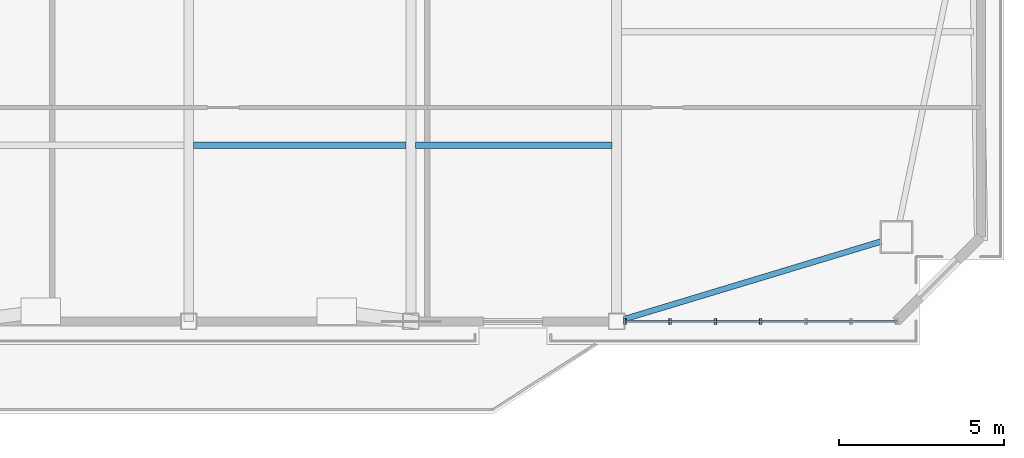
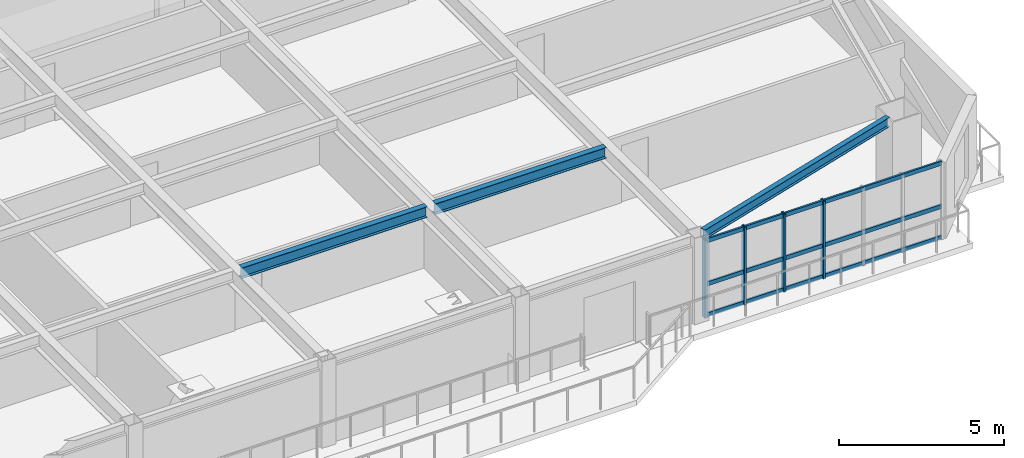
# One storey, part 4 of 18: 7 members, 3 beams, 1 element without a shape of its own.
"""IFC4 building model written with IfcOpenShell, lengths in metres."""

from ifc_helpers import new_model, si_unit, direction, frame, origin, origin_2d, place, context, subcontext, project, spatial, hollow_rectangle, i_section, extrude, source, transform, mapped, material, layer, layer_set, material_profile, profile_set, type_object, element, aggregate, save


model = new_model("IFC4")

# Units and contexts
model_context = context("Model", 3, precision=1e-05, world=origin(), true_north=direction((0.0, 1.0)))
body_context = subcontext(model_context, "Body", "Model", "MODEL_VIEW")
ifc_project = project(units=[si_unit("LENGTHUNIT", "METRE"), si_unit("AREAUNIT", "SQUARE_METRE"), si_unit("VOLUMEUNIT", "CUBIC_METRE"), si_unit("PLANEANGLEUNIT", "RADIAN"), si_unit("MASSUNIT", "GRAM", prefix="KILO")], contexts=[model_context])

# Site, building, storey
site_placement = place(None, origin())
site = spatial("IfcSite", under=ifc_project, at=site_placement, CompositionType="ELEMENT")
building_placement = place(site_placement, origin())
building = spatial("IfcBuilding", under=site, at=building_placement, Name="Giltprow Tower", CompositionType="ELEMENT")
storey_placement = place(building_placement, frame((0.0, 0.0, 258.699951171875)))
storey = spatial("IfcBuildingStorey", under=building, at=storey_placement, Name="L66", CompositionType="ELEMENT", Elevation=258.699951171875)

# Beams
ifc_material_1 = material(Name="Structural steel Q355B", Category="steel")
ifc_material_profile_1 = material_profile(ifc_material_1, i_section(OverallWidth=0.199951171875, OverallDepth=0.39990234375, WebThickness=0.008056640625, FlangeThickness=0.012939453125, at=origin_2d()), Name="HN 400x200x8x13")
ifc_profile_set_1 = profile_set([ifc_material_profile_1], Name="Structural steel Q355B")
beam_type_1 = type_object("IfcBeamType", Name="BM-JOIST-HN400", PredefinedType="JOIST", material=ifc_profile_set_1)
shared_shape_1 = source(origin(), body_context, "Body", "SweptSolid", [
    extrude(i_section(OverallWidth=0.199951171875, OverallDepth=0.39990234375, WebThickness=0.008056640625, FlangeThickness=0.012939453125, at=origin_2d()), origin(), (0.0, 0.0, 1.0), 6.4599609375),
])
beam_1_placement = place(storey_placement, frame((37.695068359375, 21.39599609375, 2.985107421875), z_axis=(1.0, 0.0, 0.0), x_axis=(0.0, 1.0, 0.0)))
element("IfcBeam", 1, at=beam_1_placement, inside=storey, type_object=beam_type_1, Name="L66 Composite Floor Joist 1-3", PredefinedType="JOIST", context=body_context, shape_type="MappedRepresentation", body=[
    mapped(shared_shape_1, transform((0.0, 0.0, 0.0), x_axis=(1.0, 0.0, 0.0), y_axis=(0.0, 1.0, 0.0), z_axis=(0.0, 0.0, 1.0), scale=1.0)),
])
shared_shape_2 = source(origin(), body_context, "Body", "SweptSolid", [
    extrude(i_section(OverallWidth=0.199951171875, OverallDepth=0.39990234375, WebThickness=0.008056640625, FlangeThickness=0.012939453125, at=origin_2d()), origin(), (0.0, 0.0, 1.0), 5.9599609375),
])
beam_2_placement = place(storey_placement, frame((44.445068359375, 21.39599609375, 2.985107421875), z_axis=(1.0, 0.0, 0.0), x_axis=(0.0, 1.0, 0.0)))
element("IfcBeam", 2, at=beam_2_placement, inside=storey, type_object=beam_type_1, Name="L66 Composite Floor Joist 1-4", PredefinedType="JOIST", context=body_context, shape_type="MappedRepresentation", body=[
    mapped(shared_shape_2, transform((0.0, 0.0, 0.0), x_axis=(1.0, 0.0, 0.0), y_axis=(0.0, 1.0, 0.0), z_axis=(0.0, 0.0, 1.0), scale=1.0)),
])
ifc_material_profile_2 = material_profile(ifc_material_1, i_section(OverallWidth=0.175048828125, OverallDepth=0.35009765625, WebThickness=0.007080078125, FlangeThickness=0.010986328125, at=origin_2d()), Name="HN 350x175x7x11")
ifc_profile_set_2 = profile_set([ifc_material_profile_2], Name="Structural steel Q355B")
beam_type_2 = type_object("IfcBeamType", Name="BM-SPAN-HN350", PredefinedType="SPANDREL", material=ifc_profile_set_2)
shared_shape_3 = source(origin(), body_context, "Body", "SweptSolid", [
    extrude(i_section(OverallWidth=0.175048828125, OverallDepth=0.35009765625, WebThickness=0.007080078125, FlangeThickness=0.010986328125, at=origin_2d()), origin(), (0.0, 0.0, 1.0), 8.1630859375),
])
beam_3_placement = place(storey_placement, frame((50.77490234375, 16.113037109375, 3.010009765625), z_axis=(0.957257269876, 0.289237824756, 0.0), x_axis=(-0.289237824756, 0.957257269876, 0.0)))
element("IfcBeam", 3, at=beam_3_placement, inside=storey, type_object=beam_type_2, Name="L66 Perimeter Spandrel Beam S4-MC_SE", PredefinedType="SPANDREL", context=body_context, shape_type="MappedRepresentation", body=[
    mapped(shared_shape_3, transform((0.0, 0.0, 0.0), x_axis=(1.0, 0.0, 0.0), y_axis=(0.0, 1.0, 0.0), z_axis=(0.0, 0.0, 1.0), scale=1.0)),
])

# Curtain wall, members
ifc_material_2 = material(Name="Anodized bronze", Category="metal")
ifc_layer = layer(ifc_material_2, 0.179931640625, Name="Anodized bronze")
ifc_layer_set = layer_set([ifc_layer], Name="Anodized bronze")
curtain_wall_type = type_object("IfcCurtainWallType", Name="CW-RES-SKY", PredefinedType="NOTDEFINED", material=ifc_layer_set)
curtain_wall_placement = place(storey_placement, origin())
curtain_wall = element("IfcCurtainWall", 4, at=curtain_wall_placement, inside=storey, type_object=curtain_wall_type, Name="L66 South Recessed Curtain Wall 6", PredefinedType="NOTDEFINED")
ifc_material_profile_3 = material_profile(ifc_material_2, hollow_rectangle(XDim=0.074951171875, YDim=0.179931640625, WallThickness=0.008056640625, at=origin_2d()), Name="RHS 180x75x8")
ifc_profile_set_3 = profile_set([ifc_material_profile_3], Name="Anodized bronze")
member_type_1 = type_object("IfcMemberType", Name="CW-MULLION-180x75", PredefinedType="MULLION", material=ifc_profile_set_3)
shared_shape_4 = source(origin(), body_context, "Body", "SweptSolid", [
    extrude(hollow_rectangle(XDim=0.074951171875, YDim=0.179931640625, WallThickness=0.008056640625, at=origin_2d()), origin(), (0.0, 0.0, 1.0), 2.8701171875),
])
member_1_placement = place(storey_placement, frame((50.800048828125, 16.044921875, -0.02001953125), z_axis=(0.0, 0.0, 1.0), x_axis=(1.0, 0.0, 0.0)))
member_1 = element("IfcMember", 5, at=member_1_placement, type_object=member_type_1, Name="L66 South Recessed Curtain Wall 6 Mullion 1", PredefinedType="MULLION", context=body_context, shape_type="MappedRepresentation", body=[
    mapped(shared_shape_4, transform((0.0, 0.0, 0.0), x_axis=(1.0, 0.0, 0.0), y_axis=(0.0, 1.0, 0.0), z_axis=(0.0, 0.0, 1.0), scale=1.0)),
])
member_2_placement = place(storey_placement, frame((52.175048828125, 16.044921875, -0.02001953125), z_axis=(0.0, 0.0, 1.0), x_axis=(1.0, 0.0, 0.0)))
member_2 = element("IfcMember", 6, at=member_2_placement, type_object=member_type_1, Name="L66 South Recessed Curtain Wall 6 Mullion 2", PredefinedType="MULLION", context=body_context, shape_type="MappedRepresentation", body=[
    mapped(shared_shape_4, transform((0.0, 0.0, 0.0), x_axis=(1.0, 0.0, 0.0), y_axis=(0.0, 1.0, 0.0), z_axis=(0.0, 0.0, 1.0), scale=1.0)),
])
member_3_placement = place(storey_placement, frame((53.551025390625, 16.044921875, -0.02001953125), z_axis=(0.0, 0.0, 1.0), x_axis=(1.0, 0.0, 0.0)))
member_3 = element("IfcMember", 7, at=member_3_placement, type_object=member_type_1, Name="L66 South Recessed Curtain Wall 6 Mullion 3", PredefinedType="MULLION", context=body_context, shape_type="MappedRepresentation", body=[
    mapped(shared_shape_4, transform((0.0, 0.0, 0.0), x_axis=(1.0, 0.0, 0.0), y_axis=(0.0, 1.0, 0.0), z_axis=(0.0, 0.0, 1.0), scale=1.0)),
])
member_4_placement = place(storey_placement, frame((54.926025390625, 16.044921875, -0.02001953125), z_axis=(0.0, 0.0, 1.0), x_axis=(1.0, 0.0, 0.0)))
member_4 = element("IfcMember", 8, at=member_4_placement, type_object=member_type_1, Name="L66 South Recessed Curtain Wall 6 Mullion 4", PredefinedType="MULLION", context=body_context, shape_type="MappedRepresentation", body=[
    mapped(shared_shape_4, transform((0.0, 0.0, 0.0), x_axis=(1.0, 0.0, 0.0), y_axis=(0.0, 1.0, 0.0), z_axis=(0.0, 0.0, 1.0), scale=1.0)),
])
ifc_material_profile_4 = material_profile(ifc_material_2, hollow_rectangle(XDim=0.06494140625, YDim=0.14990234375, WallThickness=0.006103515625, at=origin_2d()), Name="RHS 150x65x6")
ifc_profile_set_4 = profile_set([ifc_material_profile_4], Name="Anodized bronze")
member_type_2 = type_object("IfcMemberType", Name="CW-TRANSOM-150x65", PredefinedType="USERDEFINED", material=ifc_profile_set_4)
shared_shape_5 = source(origin(), body_context, "Body", "SweptSolid", [
    extrude(hollow_rectangle(XDim=0.06494140625, YDim=0.14990234375, WallThickness=0.006103515625, at=origin_2d()), origin(), (0.0, 0.0, 1.0), 8.2529296875),
])
member_5_placement = place(storey_placement, frame((50.800048828125, 16.044921875, 0.0400390625), z_axis=(1.0, 0.0, 0.0), x_axis=(0.0, 1.0, 0.0)))
member_5 = element("IfcMember", 9, at=member_5_placement, type_object=member_type_2, Name="L66 South Recessed Curtain Wall 6 Transom 1", ObjectType="TRANSOM", PredefinedType="USERDEFINED", context=body_context, shape_type="MappedRepresentation", body=[
    mapped(shared_shape_5, transform((0.0, 0.0, 0.0), x_axis=(1.0, 0.0, 0.0), y_axis=(0.0, 1.0, 0.0), z_axis=(0.0, 0.0, 1.0), scale=1.0)),
])
member_6_placement = place(storey_placement, frame((50.800048828125, 16.044921875, 1.18212890625), z_axis=(1.0, 0.0, 0.0), x_axis=(0.0, 1.0, 0.0)))
member_6 = element("IfcMember", 10, at=member_6_placement, type_object=member_type_2, Name="L66 South Recessed Curtain Wall 6 Transom 2", ObjectType="TRANSOM", PredefinedType="USERDEFINED", context=body_context, shape_type="MappedRepresentation", body=[
    mapped(shared_shape_5, transform((0.0, 0.0, 0.0), x_axis=(1.0, 0.0, 0.0), y_axis=(0.0, 1.0, 0.0), z_axis=(0.0, 0.0, 1.0), scale=1.0)),
])
member_7_placement = place(storey_placement, frame((50.800048828125, 16.044921875, 2.775146484375), z_axis=(1.0, 0.0, 0.0), x_axis=(0.0, 1.0, 0.0)))
member_7 = element("IfcMember", 11, at=member_7_placement, type_object=member_type_2, Name="L66 South Recessed Curtain Wall 6 Transom 3", ObjectType="TRANSOM", PredefinedType="USERDEFINED", context=body_context, shape_type="MappedRepresentation", body=[
    mapped(shared_shape_5, transform((0.0, 0.0, 0.0), x_axis=(1.0, 0.0, 0.0), y_axis=(0.0, 1.0, 0.0), z_axis=(0.0, 0.0, 1.0), scale=1.0)),
])
aggregate(curtain_wall, [member_1, member_2, member_3, member_4, member_5, member_6, member_7])

save(model, "model.ifc")
